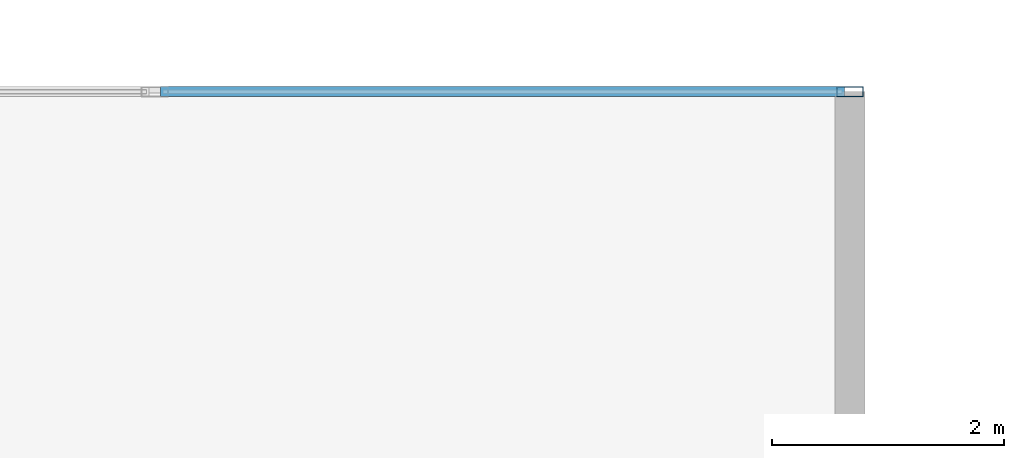
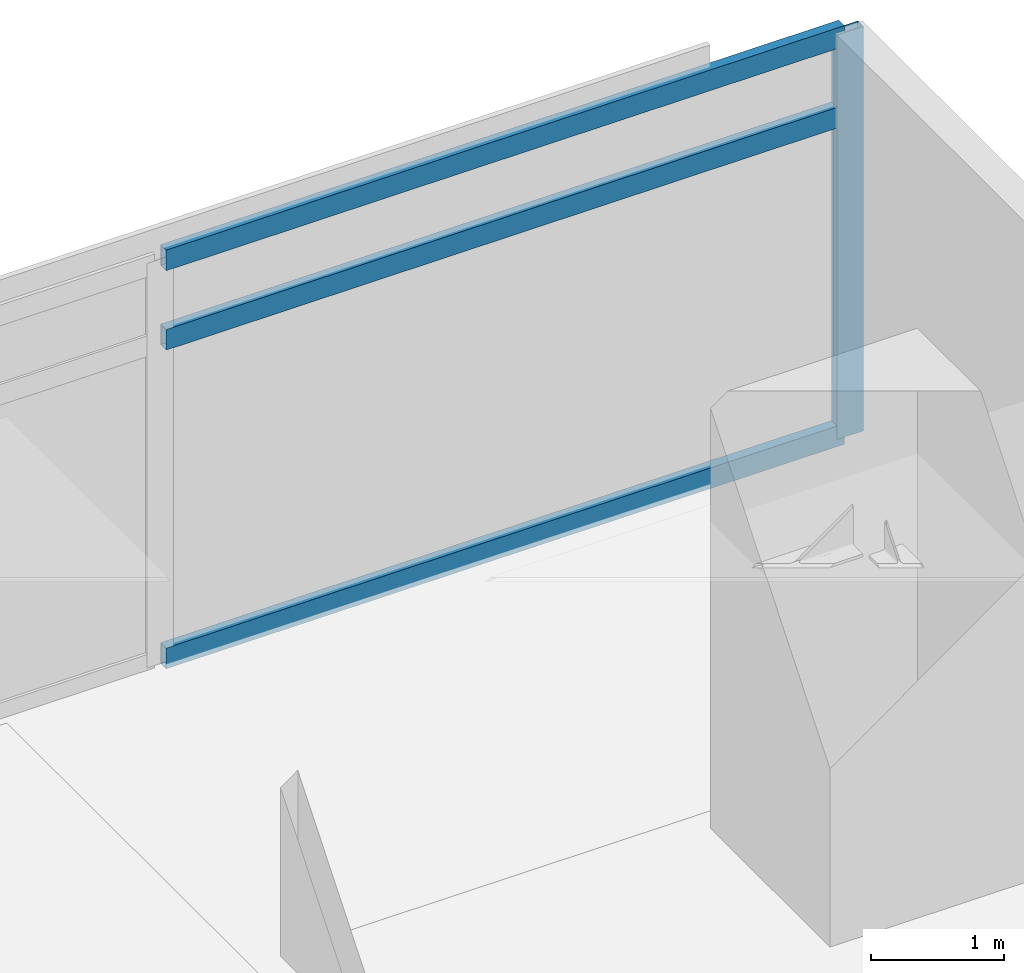
# One storey, part 12 of 21: 4 members, 1 element without a shape of its own.
"""IFC4 building model written with IfcOpenShell, lengths in metres."""

from ifc_helpers import new_model, si_unit, direction, frame, origin, origin_2d, place, context, subcontext, project, spatial, hollow_rectangle, extrude, material, material_profile, profile_set, type_object, element, aggregate, save


model = new_model("IFC4")

# Units and contexts
model_context = context("Model", 3, precision=1e-05, world=origin(), true_north=direction((0.0, 1.0)))
body_context = subcontext(model_context, "Body", "Model", "MODEL_VIEW")
ifc_project = project(units=[si_unit("LENGTHUNIT", "METRE"), si_unit("AREAUNIT", "SQUARE_METRE"), si_unit("VOLUMEUNIT", "CUBIC_METRE"), si_unit("PLANEANGLEUNIT", "RADIAN"), si_unit("MASSUNIT", "GRAM", prefix="KILO")], contexts=[model_context])

# Site, building, storey
site_placement = place(None, origin())
site = spatial("IfcSite", under=ifc_project, at=site_placement, CompositionType="ELEMENT")
building_placement = place(site_placement, origin())
building = spatial("IfcBuilding", under=site, at=building_placement, Name="Kovane Verandah Tower", CompositionType="ELEMENT")
storey_placement = place(building_placement, frame((0.0, 0.0, 27.60009765625)))
storey = spatial("IfcBuildingStorey", under=building, at=storey_placement, Name="L05", CompositionType="ELEMENT", Elevation=27.60009765625)

# Curtain wall, members
ifc_material_1 = material(Name="Champagne Anodised Aluminium Frame with Low-E Clear Laminated Glass", Category="aluminium")
curtain_wall_type = type_object("IfcCurtainWallType", Name="CW-SYS-02-LOW", PredefinedType="NOTDEFINED", material=ifc_material_1)
curtain_wall_placement = place(storey_placement, origin())
curtain_wall = element("IfcCurtainWall", 1, at=curtain_wall_placement, inside=storey, type_object=curtain_wall_type, Name="L05 N Unitised Curtain Wall", PredefinedType="NOTDEFINED")
ifc_material_2 = material(Name="Champagne Anodised Aluminium 6063-T6", Category="aluminium")
ifc_material_profile_1 = material_profile(ifc_material_2, hollow_rectangle(XDim=0.0849609375, YDim=0.22998046875, WallThickness=0.00390625, at=origin_2d()), Name="AL85x230x4")
ifc_profile_set_1 = profile_set([ifc_material_profile_1], Name="Champagne Anodised Aluminium 6063-T6")
member_type_1 = type_object("IfcMemberType", Name="CW-MUL-85x230", PredefinedType="MULLION", material=ifc_profile_set_1)
member_1_placement = place(storey_placement, frame((61.0, 49.10009765625, 0.02001953125), z_axis=(0.0, 0.0, 1.0), x_axis=(0.0, 1.0, 0.0)))
member_1 = element("IfcMember", 2, at=member_1_placement, type_object=member_type_1, Name="L05 N Unitised Curtain Wall Mullion 1", PredefinedType="MULLION", context=body_context, shape_type="SweptSolid", body=[
    extrude(hollow_rectangle(XDim=0.0849609375, YDim=0.22998046875, WallThickness=0.00390625, at=origin_2d()), origin(), (0.0, 0.0, 1.0), 3.719970703125),
])
ifc_material_profile_2 = material_profile(ifc_material_2, hollow_rectangle(XDim=0.0849609375, YDim=0.18994140625, WallThickness=0.00390625, at=origin_2d()), Name="AL85x190x4")
ifc_profile_set_2 = profile_set([ifc_material_profile_2], Name="Champagne Anodised Aluminium 6063-T6")
member_type_2 = type_object("IfcMemberType", Name="CW-TRN-85x190", PredefinedType="USERDEFINED", material=ifc_profile_set_2)
member_2_placement = place(storey_placement, frame((60.949951171875, 49.10009765625, 0.0498046875), z_axis=(-1.0, 0.0, 0.0), x_axis=(0.0, -1.0, 0.0)))
member_2 = element("IfcMember", 3, at=member_2_placement, type_object=member_type_2, Name="L05 N Unitised Curtain Wall Transom TB Bay 1", ObjectType="TRANSOM", PredefinedType="USERDEFINED", context=body_context, shape_type="SweptSolid", body=[
    extrude(hollow_rectangle(XDim=0.0849609375, YDim=0.18994140625, WallThickness=0.00390625, at=origin_2d()), origin(), (0.0, 0.0, 1.0), 5.89990234375),
])
member_3_placement = place(storey_placement, frame((60.949951171875, 49.10009765625, 2.97998046875), z_axis=(-1.0, 0.0, 0.0), x_axis=(0.0, -1.0, 0.0)))
member_3 = element("IfcMember", 4, at=member_3_placement, type_object=member_type_2, Name="L05 N Unitised Curtain Wall Transom TM Bay 1", ObjectType="TRANSOM", PredefinedType="USERDEFINED", context=body_context, shape_type="SweptSolid", body=[
    extrude(hollow_rectangle(XDim=0.0849609375, YDim=0.18994140625, WallThickness=0.00390625, at=origin_2d()), origin(), (0.0, 0.0, 1.0), 5.89990234375),
])
member_4_placement = place(storey_placement, frame((60.949951171875, 49.10009765625, 3.7099609375), z_axis=(-1.0, 0.0, 0.0), x_axis=(0.0, -1.0, 0.0)))
member_4 = element("IfcMember", 5, at=member_4_placement, type_object=member_type_2, Name="L05 N Unitised Curtain Wall Transom TT Bay 1", ObjectType="TRANSOM", PredefinedType="USERDEFINED", context=body_context, shape_type="SweptSolid", body=[
    extrude(hollow_rectangle(XDim=0.0849609375, YDim=0.18994140625, WallThickness=0.00390625, at=origin_2d()), origin(), (0.0, 0.0, 1.0), 5.89990234375),
])
aggregate(curtain_wall, [member_1, member_2, member_3, member_4])

save(model, "model.ifc")
